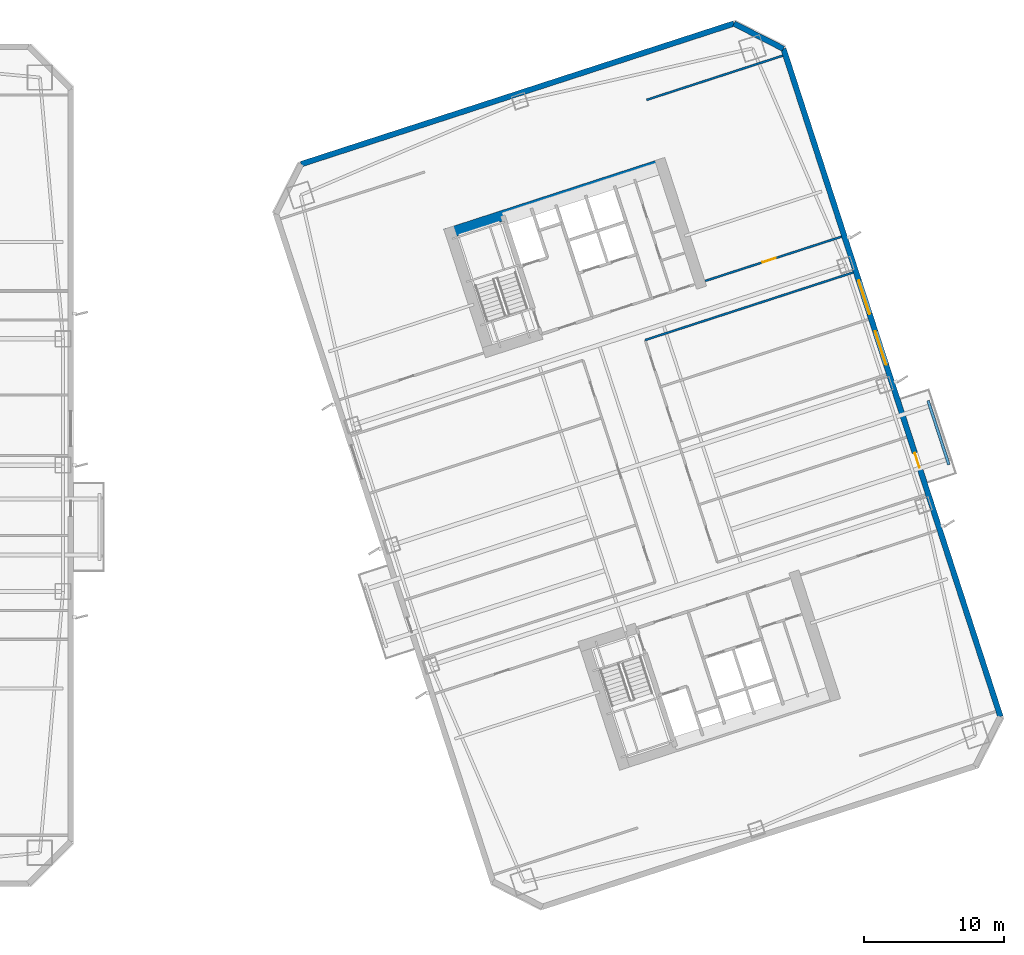
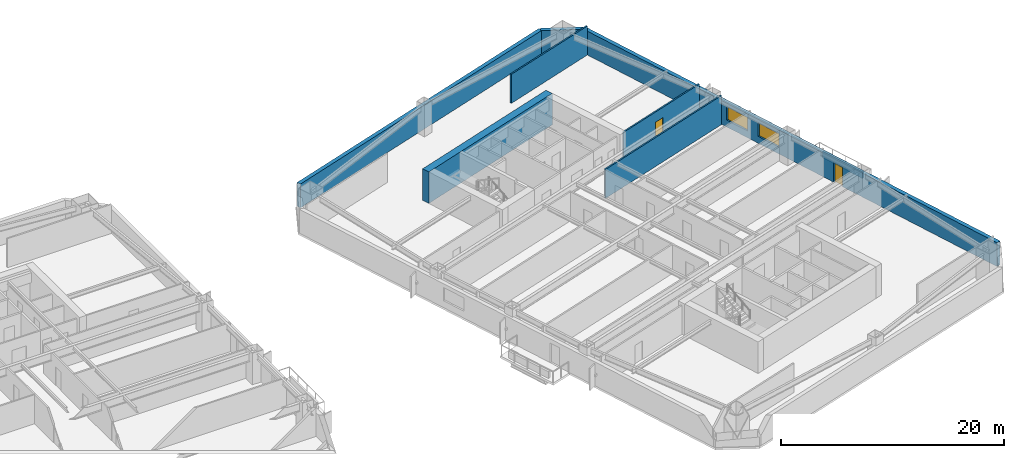
# One storey, part 9 of 18: 8 walls, 2 doors, 2 windows, 4 openings.
"""IFC4 building model written with IfcOpenShell, lengths in metres."""

from ifc_helpers import new_model, si_unit, direction, frame, frame_2d, origin, place, context, subcontext, project, spatial, rectangle, extrude, material, layer, layer_set, type_object, element, fill, save


model = new_model("IFC4")

# Units and contexts
model_context = context("Model", 3, precision=1e-05, world=origin(), true_north=direction((0.0, 1.0)))
body_context = subcontext(model_context, "Body", "Model", "MODEL_VIEW")
ifc_project = project(units=[si_unit("LENGTHUNIT", "METRE"), si_unit("AREAUNIT", "SQUARE_METRE"), si_unit("VOLUMEUNIT", "CUBIC_METRE"), si_unit("PLANEANGLEUNIT", "RADIAN"), si_unit("MASSUNIT", "GRAM", prefix="KILO")], contexts=[model_context])

# Site, building, storey
site_placement = place(None, origin())
site = spatial("IfcSite", under=ifc_project, at=site_placement, CompositionType="ELEMENT")
building_placement = place(site_placement, origin())
building = spatial("IfcBuilding", under=site, at=building_placement, Name="Qiaolan Cultural Towers", CompositionType="ELEMENT")
storey_placement = place(building_placement, frame((0.0, 0.0, 67.85009765625)))
storey = spatial("IfcBuildingStorey", under=building, at=storey_placement, Name="L16", CompositionType="ELEMENT", Elevation=67.85009765625)

# Walls
ifc_material_1 = material(Name="Concrete C60", Category="concrete")
ifc_layer_1 = layer(ifc_material_1, 0.75)
ifc_layer_set_1 = layer_set([ifc_layer_1], Name="Concrete C60")
wall_type_1 = type_object("IfcWallType", Name="WL-CORE-750", PredefinedType="SHEAR", material=ifc_layer_set_1)
wall_1_placement = place(storey_placement, frame((76.27197265625, 50.442626953125, 0.0), z_axis=(0.0, 0.0, 1.0), x_axis=(0.951056072937, 0.309018358888, 0.0)))
element("IfcWall", 1, at=wall_1_placement, inside=storey, type_object=wall_type_1, Name="L16 T2-CN Outer Core Shear Wall", PredefinedType="SHEAR", context=body_context, shape_type="SweptSolid", body=[
    extrude(rectangle(XDim=16.550048828125, YDim=0.75, at=frame_2d((8.27490234375, 0.0))), origin(), (0.0, 0.0, 1.0), 3.449951171875),
])
ifc_material_2 = material(Name="Precast Concrete C50 Honed Stone Pier", Category="masonry")
ifc_layer_2 = layer(ifc_material_2, 0.39990234375)
ifc_layer_set_2 = layer_set([ifc_layer_2], Name="Precast Concrete C50 Honed Stone Pier")
wall_type_2 = type_object("IfcWallType", Name="WL-EXT-PIER-400", PredefinedType="SOLIDWALL", material=ifc_layer_set_2)
wall_2_placement = place(storey_placement, frame((66.002197265625, 55.433349609375, 0.0), z_axis=(0.0, 0.0, 1.0), x_axis=(0.951055939317, 0.309018770125, 0.0)))
element("IfcWall", 2, at=wall_2_placement, inside=storey, type_object=wall_type_2, Name="L16 East Tower Precast Pier Facade Wall F3", PredefinedType="SOLIDWALL", context=body_context, shape_type="SweptSolid", body=[
    extrude(rectangle(XDim=32.39990234375, YDim=0.39990234375, at=frame_2d((16.199951171875, 0.0))), origin(), (0.0, 0.0, 1.0), 2.60986328125),
])
wall_3_placement = place(storey_placement, frame((96.81640625, 65.445556640625, 0.0), z_axis=(0.0, 0.0, 1.0), x_axis=(0.890998089617, -0.454007053137, 0.0)))
element("IfcWall", 3, at=wall_3_placement, inside=storey, type_object=wall_type_2, Name="L16 East Tower Precast Pier Facade Wall F4", PredefinedType="SOLIDWALL", context=body_context, shape_type="SweptSolid", body=[
    extrude(rectangle(XDim=3.9599609375, YDim=0.39990234375, at=frame_2d((1.97998046875, 0.0))), origin(), (0.0, 0.0, 1.0), 2.60986328125),
])

# Wall, openings, door, windows
wall_4_placement = place(storey_placement, frame((100.3447265625, 63.647705078125, 0.0), z_axis=(0.0, 0.0, 1.0), x_axis=(0.309014526607, -0.951057318118, 0.0)))
wall_4 = element("IfcWall", 4, at=wall_4_placement, inside=storey, type_object=wall_type_2, Name="L16 East Tower Precast Pier Facade Wall F5", PredefinedType="SOLIDWALL", context=body_context, shape_type="SweptSolid", body=[
    extrude(rectangle(XDim=49.999755859375, YDim=0.39990234375, at=frame_2d((25.0, 0.0))), origin(), (0.0, 0.0, 1.0), 2.60986328125),
])
opening_1_placement = place(wall_4_placement, frame((21.14990234375, 0.0, 0.75)))
opening_1 = element("IfcOpeningElement", 5, at=opening_1_placement, cuts=wall_4, Name="Opening W-01", PredefinedType="OPENING", context=body_context, shape_type="SweptSolid", body=[
    extrude(rectangle(XDim=2.5, YDim=1.4599609375, at=frame_2d((1.25, 0.72998046875))), frame((0.0, 0.2099609375, 0.0), z_axis=(0.0, -1.0, 0.0), x_axis=(1.0, 0.0, 0.0)), (0.0, 0.0, 1.0), 0.419921875),
])
opening_2_placement = place(wall_4_placement, frame((17.35009765625, 0.0, 0.75)))
opening_2 = element("IfcOpeningElement", 6, at=opening_2_placement, cuts=wall_4, Name="Opening W-01", PredefinedType="OPENING", context=body_context, shape_type="SweptSolid", body=[
    extrude(rectangle(XDim=2.5, YDim=1.4599609375, at=frame_2d((1.25, 0.72998046875))), frame((0.0, 0.2099609375, 0.0), z_axis=(0.0, -1.0, 0.0), x_axis=(1.0, 0.0, 0.0)), (0.0, 0.0, 1.0), 0.419921875),
])
opening_3_placement = place(wall_4_placement, frame((30.2548828125, 0.0, 0.0)))
opening_3 = element("IfcOpeningElement", 7, at=opening_3_placement, cuts=wall_4, Name="Opening BD-01", PredefinedType="OPENING", context=body_context, shape_type="SweptSolid", body=[
    extrude(rectangle(XDim=1.10009765625, YDim=2.14990234375, at=frame_2d((0.550048828125, 1.074951171875))), frame((0.0, 0.2099609375, 0.0), z_axis=(0.0, -1.0, 0.0), x_axis=(1.0, 0.0, 0.0)), (0.0, 0.0, 1.0), 0.419921875),
])
ifc_material_3 = material(Name="Thermally Broken Aluminium Glazed Terrace Door", Category="aluminium")
door_type_1 = type_object("IfcDoorType", Name="DR-BAL-1100", OperationType="NOTDEFINED", PredefinedType="DOOR", material=ifc_material_3)
door_1_placement = place(opening_3_placement, origin())
door_1 = element("IfcDoor", 8, at=door_1_placement, inside=storey, type_object=door_type_1, Name="L16 T2 East Tree Balcony Door", OperationType="SINGLE_SWING_RIGHT", OverallHeight=2.14990234375, OverallWidth=1.10009765625, PredefinedType="DOOR", context=body_context, shape_type="SweptSolid", body=[
    extrude(rectangle(XDim=1.10009765625, YDim=2.14990234375, at=frame_2d((0.550048828125, 1.074951171875))), frame((0.0, 0.02490234375, 0.0), z_axis=(0.0, -1.0, 0.0), x_axis=(1.0, 0.0, 0.0)), (0.0, 0.0, 1.0), 0.050048828125),
])
fill(opening_3, door_1)
ifc_material_4 = material(Name="Thermally Broken Aluminium Triple Low-E Glazing", Category="aluminium")
window_type = type_object("IfcWindowType", Name="WN-CHIC-2500", PartitioningType="SINGLE_PANEL", PredefinedType="WINDOW", material=ifc_material_4)
window_1_placement = place(opening_1_placement, origin())
window_1 = element("IfcWindow", 9, at=window_1_placement, inside=storey, type_object=window_type, Name="L16 T2 E Chicago Bay Window 1", OverallHeight=1.4599609375, OverallWidth=2.5, PartitioningType="TRIPLE_PANEL_VERTICAL", PredefinedType="WINDOW", context=body_context, shape_type="SweptSolid", body=[
    extrude(rectangle(XDim=2.5, YDim=1.4599609375, at=frame_2d((1.25, 0.72998046875))), frame((0.0, 0.030029296875, 0.0), z_axis=(0.0, -1.0, 0.0), x_axis=(1.0, 0.0, 0.0)), (0.0, 0.0, 1.0), 0.06005859375),
])
fill(opening_1, window_1)
window_2_placement = place(opening_2_placement, origin())
window_2 = element("IfcWindow", 10, at=window_2_placement, inside=storey, type_object=window_type, Name="L16 T2 E Chicago Bay Window 2", OverallHeight=1.4599609375, OverallWidth=2.5, PartitioningType="TRIPLE_PANEL_VERTICAL", PredefinedType="WINDOW", context=body_context, shape_type="SweptSolid", body=[
    extrude(rectangle(XDim=2.5, YDim=1.4599609375, at=frame_2d((1.25, 0.72998046875))), frame((0.0, 0.030029296875, 0.0), z_axis=(0.0, -1.0, 0.0), x_axis=(1.0, 0.0, 0.0)), (0.0, 0.0, 1.0), 0.06005859375),
])
fill(opening_2, window_2)

# Wall
ifc_material_5 = material(Name="Autoclaved Aerated Concrete Block B06", Category="concrete")
ifc_layer_3 = layer(ifc_material_5, 0.14990234375)
ifc_layer_set_3 = layer_set([ifc_layer_3], Name="Autoclaved Aerated Concrete Block B06")
wall_type_3 = type_object("IfcWallType", Name="WL-PART-150", PredefinedType="PARTITIONING", material=ifc_layer_set_3)
wall_5_placement = place(storey_placement, frame((90.5927734375, 60.006103515625, 0.0), z_axis=(0.0, 0.0, 1.0), x_axis=(0.951059043131, 0.309009217467, 0.0)))
element("IfcWall", 11, at=wall_5_placement, inside=storey, type_object=wall_type_3, Name="L16 T2 Flank Wall FLK-NE", PredefinedType="PARTITIONING", context=body_context, shape_type="SweptSolid", body=[
    extrude(rectangle(XDim=10.199951171875, YDim=0.14990234375, at=frame_2d((5.10009765625, 0.0))), origin(), (0.0, 0.0, 1.0), 3.1748046875),
])

# Wall, opening, door
wall_6_placement = place(storey_placement, frame((94.77978515625, 47.119140625, 0.0), z_axis=(0.0, 0.0, 1.0), x_axis=(0.951054294345, 0.309023832749, 0.0)))
wall_6 = element("IfcWall", 12, at=wall_6_placement, inside=storey, type_object=wall_type_3, Name="L16 T2 Flank Front FLK-NE", PredefinedType="PARTITIONING", context=body_context, shape_type="SweptSolid", body=[
    extrude(rectangle(XDim=10.2001953125, YDim=0.14990234375, at=frame_2d((5.10009765625, 0.0))), origin(), (0.0, 0.0, 1.0), 3.1748046875),
])
opening_4_placement = place(wall_6_placement, frame((4.283935546875, 0.0, 0.0)))
opening_4 = element("IfcOpeningElement", 13, at=opening_4_placement, cuts=wall_6, Name="Opening ID-04", PredefinedType="OPENING", context=body_context, shape_type="SweptSolid", body=[
    extrude(rectangle(XDim=1.0, YDim=2.050048828125, at=frame_2d((0.5, 1.02490234375))), frame((0.0, 0.0849609375, 0.0), z_axis=(0.0, -1.0, 0.0), x_axis=(1.0, 0.0, 0.0)), (0.0, 0.0, 1.0), 0.169921875),
])
ifc_material_6 = material(Name="Oak Veneer Acoustic Office Door", Category="timber")
door_type_2 = type_object("IfcDoorType", Name="DR-INT-1000", OperationType="NOTDEFINED", PredefinedType="DOOR", material=ifc_material_6)
door_2_placement = place(opening_4_placement, origin())
door_2 = element("IfcDoor", 14, at=door_2_placement, inside=storey, type_object=door_type_2, Name="L16 T2 Corner Studio Door", OperationType="SINGLE_SWING_LEFT", OverallHeight=2.050048828125, OverallWidth=1.0, PredefinedType="DOOR", context=body_context, shape_type="SweptSolid", body=[
    extrude(rectangle(XDim=1.0, YDim=2.050048828125, at=frame_2d((0.5, 1.02490234375))), frame((0.0, 0.02490234375, 0.0), z_axis=(0.0, -1.0, 0.0), x_axis=(1.0, 0.0, 0.0)), (0.0, 0.0, 1.0), 0.050048828125),
])
fill(opening_4, door_2)

# Walls
wall_7_placement = place(storey_placement, frame((90.49609375, 42.909423828125, 0.0), z_axis=(0.0, 0.0, 1.0), x_axis=(0.951055837847, 0.309019082414, 0.0)))
element("IfcWall", 15, at=wall_7_placement, inside=storey, type_object=wall_type_3, Name="L16 T2 North Corridor Right Wall", PredefinedType="PARTITIONING", context=body_context, shape_type="SweptSolid", body=[
    extrude(rectangle(XDim=15.574951171875, YDim=0.14990234375, at=frame_2d((7.78759765625, 0.0))), origin(), (0.0, 0.0, 1.0), 3.1748046875),
])
ifc_material_7 = material(Name="Precast Concrete C45 Tree Planter Upstand", Category="concrete")
ifc_layer_4 = layer(ifc_material_7, 0.199951171875)
ifc_layer_set_4 = layer_set([ifc_layer_4], Name="Precast Concrete C45 Tree Planter Upstand")
wall_type_4 = type_object("IfcWallType", Name="WL-PLANTER-200", PredefinedType="PARAPET", material=ifc_layer_set_4)
wall_8_placement = place(storey_placement, frame((112.12109375, 34.03759765625, 0.0), z_axis=(0.0, 0.0, 1.0), x_axis=(-0.309032019345, 0.951051634255, 0.0)))
element("IfcWall", 16, at=wall_8_placement, inside=storey, type_object=wall_type_4, Name="L16 T2 Tree Balcony Soil Planter Box E", PredefinedType="PARAPET", context=body_context, shape_type="SweptSolid", body=[
    extrude(rectangle(XDim=4.800048828125, YDim=0.199951171875, at=frame_2d((2.39990234375, 0.0))), origin(), (0.0, 0.0, 1.0), 0.75),
])

save(model, "model.ifc")
